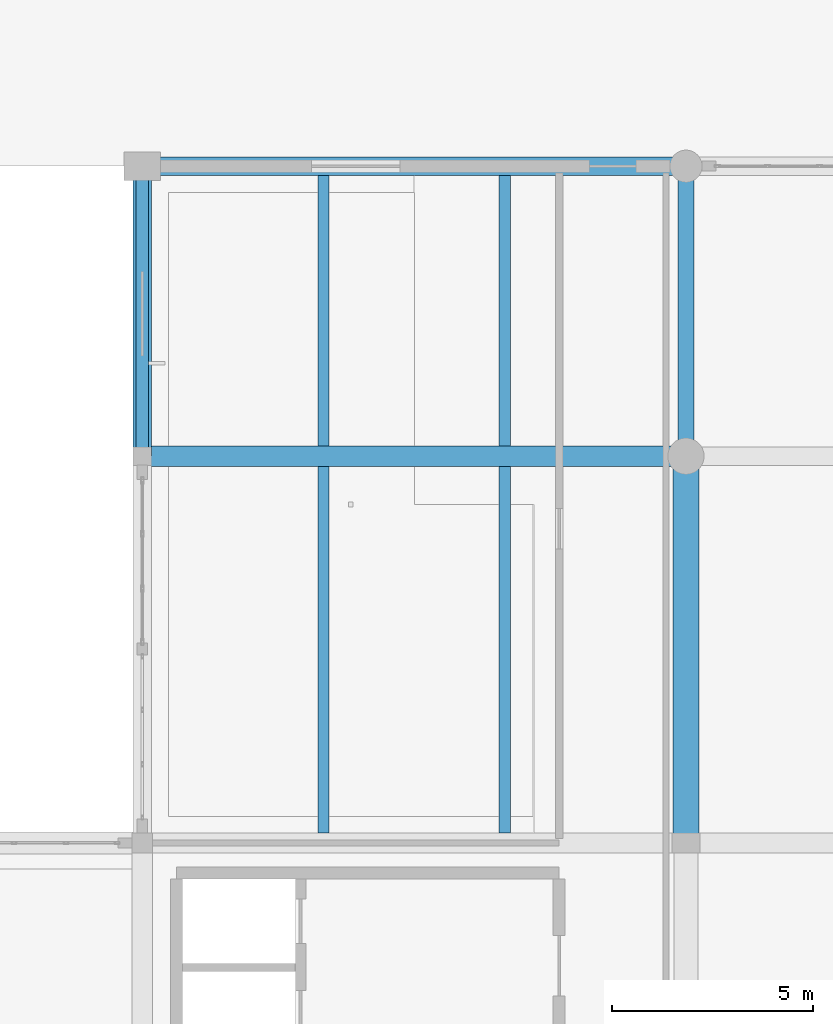
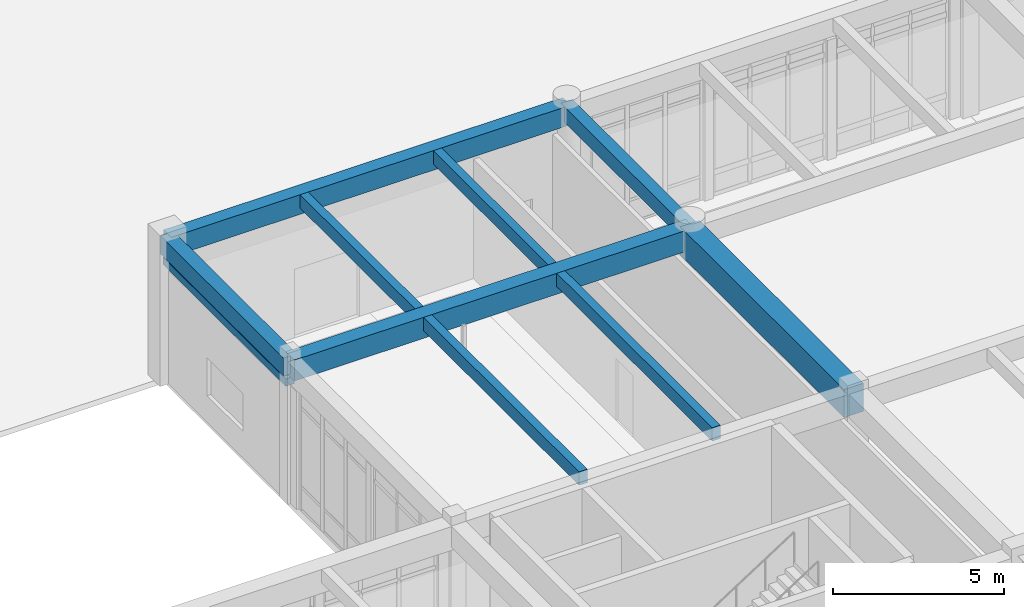
# One storey, part 14 of 138: 10 beams.
"""IFC4 building model written with IfcOpenShell, lengths in metres."""

from ifc_helpers import new_model, si_unit, direction, frame, origin, origin_2d, place, context, subcontext, project, spatial, rectangle, extrude, material, material_profile, profile_set, type_object, element, save


model = new_model("IFC4")

# Units and contexts
model_context = context("Model", 3, precision=1e-05, world=origin(), true_north=direction((0.0, 1.0)))
body_context = subcontext(model_context, "Body", "Model", "MODEL_VIEW")
ifc_project = project(units=[si_unit("LENGTHUNIT", "METRE"), si_unit("AREAUNIT", "SQUARE_METRE"), si_unit("VOLUMEUNIT", "CUBIC_METRE"), si_unit("PLANEANGLEUNIT", "RADIAN"), si_unit("MASSUNIT", "GRAM", prefix="KILO")], contexts=[model_context])

# Site, building, storey
site_placement = place(None, origin())
site = spatial("IfcSite", under=ifc_project, at=site_placement, CompositionType="ELEMENT")
building_placement = place(site_placement, origin())
building = spatial("IfcBuilding", under=site, at=building_placement, Name="Fikremerkos Civic Library", CompositionType="ELEMENT")
storey_placement = place(building_placement, origin())
storey = spatial("IfcBuildingStorey", under=building, at=storey_placement, Name="L00", CompositionType="ELEMENT", Elevation=0.0)

# Beams
ifc_material_1 = material(Name="Concrete C40/50", Category="concrete")
ifc_material_profile_1 = material_profile(ifc_material_1, rectangle(XDim=0.280029296875, YDim=0.47998046875, at=origin_2d()), Name="RC 280x480")
ifc_profile_set_1 = profile_set([ifc_material_profile_1], Name="Concrete C40/50")
beam_type_1 = type_object("IfcBeamType", Name="Floor joist JS-04 RC 280x480", PredefinedType="JOIST", material=ifc_profile_set_1)
for number, where, z_axis, x_axis, name in (
    (1, (50.699951171875, 31.449951171875, 4.860107421875), (0.0, 1.0, 0.0), (-1.0, 0.0, 0.0), "Floor joist JS-04 L00 #306"),
    (2, (55.199951171875, 31.449951171875, 4.860107421875), (0.0, 1.0, 0.0), (-1.0, 0.0, 0.0), "Floor joist JS-04 L00 #307"),
):
    element("IfcBeam", number, at=place(storey_placement, frame(where, z_axis=z_axis, x_axis=x_axis)), inside=storey, type_object=beam_type_1, Name=name, PredefinedType="JOIST", context=body_context, shape_type="SweptSolid", body=[
        extrude(rectangle(XDim=0.280029296875, YDim=0.47998046875, at=origin_2d()), origin(), (0.0, 0.0, 1.0), 9.10009765625),
    ])
for number, where, z_axis, x_axis, name in (
    (3, (50.699951171875, 41.050048828125, 4.860107421875), (0.0, 1.0, 0.0), (-1.0, 0.0, 0.0), "Floor joist JS-04 L00 #308"),
    (4, (55.199951171875, 41.050048828125, 4.860107421875), (0.0, 1.0, 0.0), (-1.0, 0.0, 0.0), "Floor joist JS-04 L00 #309"),
):
    element("IfcBeam", number, at=place(storey_placement, frame(where, z_axis=z_axis, x_axis=x_axis)), inside=storey, type_object=beam_type_1, Name=name, PredefinedType="JOIST", context=body_context, shape_type="SweptSolid", body=[
        extrude(rectangle(XDim=0.280029296875, YDim=0.47998046875, at=origin_2d()), origin(), (0.0, 0.0, 1.0), 6.724853515625),
    ])
ifc_material_profile_2 = material_profile(ifc_material_1, rectangle(XDim=0.300048828125, YDim=0.260009765625, at=origin_2d()), Name="RC 300x260")
ifc_profile_set_2 = profile_set([ifc_material_profile_2], Name="Concrete C40/50")
beam_type_2 = type_object("IfcBeamType", Name="Opening lintel LNT-02 RC 300x260", PredefinedType="LINTEL", material=ifc_profile_set_2)
beam_1_placement = place(storey_placement, frame((46.199951171875, 40.800048828125, 4.18994140625), z_axis=(0.0, 1.0, 0.0), x_axis=(-1.0, 0.0, 0.0)))
element("IfcBeam", 5, at=beam_1_placement, inside=storey, type_object=beam_type_2, Name="Courtyard window head lintel LNT-02 L00 #8", PredefinedType="LINTEL", context=body_context, shape_type="SweptSolid", body=[
    extrude(rectangle(XDim=0.300048828125, YDim=0.260009765625, at=origin_2d()), origin(), (0.0, 0.0, 1.0), 7.199951171875),
])
ifc_material_profile_3 = material_profile(ifc_material_1, rectangle(XDim=0.5, YDim=0.75, at=origin_2d()), Name="RC 500x750")
ifc_profile_set_3 = profile_set([ifc_material_profile_3], Name="Concrete C40/50")
beam_type_3 = type_object("IfcBeamType", Name="Primary girder BM-05 RC 500x750", PredefinedType="BEAM", material=ifc_profile_set_3)
beam_2_placement = place(storey_placement, frame((46.199951171875, 40.800048828125, 4.72509765625), z_axis=(1.0, 0.0, 0.0), x_axis=(0.0, 1.0, 0.0)))
element("IfcBeam", 6, at=beam_2_placement, inside=storey, type_object=beam_type_3, Name="Primary girder BM-05 L00 grid H", PredefinedType="BEAM", context=body_context, shape_type="SweptSolid", body=[
    extrude(rectangle(XDim=0.5, YDim=0.75, at=origin_2d()), origin(), (0.0, 0.0, 1.0), 13.5),
])
ifc_material_profile_4 = material_profile(ifc_material_1, rectangle(XDim=0.449951171875, YDim=0.699951171875, at=origin_2d()), Name="RC 450x700")
ifc_profile_set_4 = profile_set([ifc_material_profile_4], Name="Concrete C40/50")
beam_type_4 = type_object("IfcBeamType", Name="Primary girder BM-06 RC 450x700", PredefinedType="BEAM", material=ifc_profile_set_4)
beam_3_placement = place(storey_placement, frame((46.199951171875, 48.0, 4.75), z_axis=(1.0, 0.0, 0.0), x_axis=(0.0, 1.0, 0.0)))
element("IfcBeam", 7, at=beam_3_placement, inside=storey, type_object=beam_type_4, Name="Primary girder BM-06 L00 grid J", PredefinedType="BEAM", context=body_context, shape_type="SweptSolid", body=[
    extrude(rectangle(XDim=0.449951171875, YDim=0.699951171875, at=origin_2d()), origin(), (0.0, 0.0, 1.0), 13.5),
])
ifc_material_profile_5 = material_profile(ifc_material_1, rectangle(XDim=0.449951171875, YDim=0.64990234375, at=origin_2d()), Name="RC 450x650")
ifc_profile_set_5 = profile_set([ifc_material_profile_5], Name="Concrete C40/50")
beam_type_5 = type_object("IfcBeamType", Name="Primary girder BM-07 RC 450x650", PredefinedType="BEAM", material=ifc_profile_set_5)
beam_4_placement = place(storey_placement, frame((46.199951171875, 40.800048828125, 4.77490234375), z_axis=(0.0, 1.0, 0.0), x_axis=(-1.0, 0.0, 0.0)))
element("IfcBeam", 8, at=beam_4_placement, inside=storey, type_object=beam_type_5, Name="Primary girder BM-07 L00 grid 5", PredefinedType="BEAM", context=body_context, shape_type="SweptSolid", body=[
    extrude(rectangle(XDim=0.449951171875, YDim=0.64990234375, at=origin_2d()), origin(), (0.0, 0.0, 1.0), 7.199951171875),
])
ifc_material_2 = material(Name="Concrete C45/55", Category="concrete")
ifc_material_profile_6 = material_profile(ifc_material_2, rectangle(XDim=0.64990234375, YDim=1.0, at=origin_2d()), Name="RC 650x1000")
ifc_profile_set_6 = profile_set([ifc_material_profile_6], Name="Concrete C45/55")
beam_type_6 = type_object("IfcBeamType", Name="Primary girder BM-25 RC 650x1000", PredefinedType="BEAM", material=ifc_profile_set_6)
beam_5_placement = place(storey_placement, frame((59.699951171875, 31.199951171875, 4.60009765625), z_axis=(0.0, 1.0, 0.0), x_axis=(-1.0, 0.0, 0.0)))
element("IfcBeam", 9, at=beam_5_placement, inside=storey, type_object=beam_type_6, Name="Primary girder BM-25 L00 grid 6", PredefinedType="BEAM", context=body_context, shape_type="SweptSolid", body=[
    extrude(rectangle(XDim=0.64990234375, YDim=1.0, at=origin_2d()), origin(), (0.0, 0.0, 1.0), 9.60009765625),
])
ifc_material_profile_7 = material_profile(ifc_material_1, rectangle(XDim=0.39990234375, YDim=0.550048828125, at=origin_2d()), Name="RC 400x550")
ifc_profile_set_7 = profile_set([ifc_material_profile_7], Name="Concrete C40/50")
beam_type_7 = type_object("IfcBeamType", Name="Primary girder BM-26 RC 400x550", PredefinedType="BEAM", material=ifc_profile_set_7)
beam_6_placement = place(storey_placement, frame((59.699951171875, 40.800048828125, 4.824951171875), z_axis=(0.0, 1.0, 0.0), x_axis=(-1.0, 0.0, 0.0)))
element("IfcBeam", 10, at=beam_6_placement, inside=storey, type_object=beam_type_7, Name="Primary girder BM-26 L00 grid 6", PredefinedType="BEAM", context=body_context, shape_type="SweptSolid", body=[
    extrude(rectangle(XDim=0.39990234375, YDim=0.550048828125, at=origin_2d()), origin(), (0.0, 0.0, 1.0), 7.199951171875),
])

save(model, "model.ifc")
